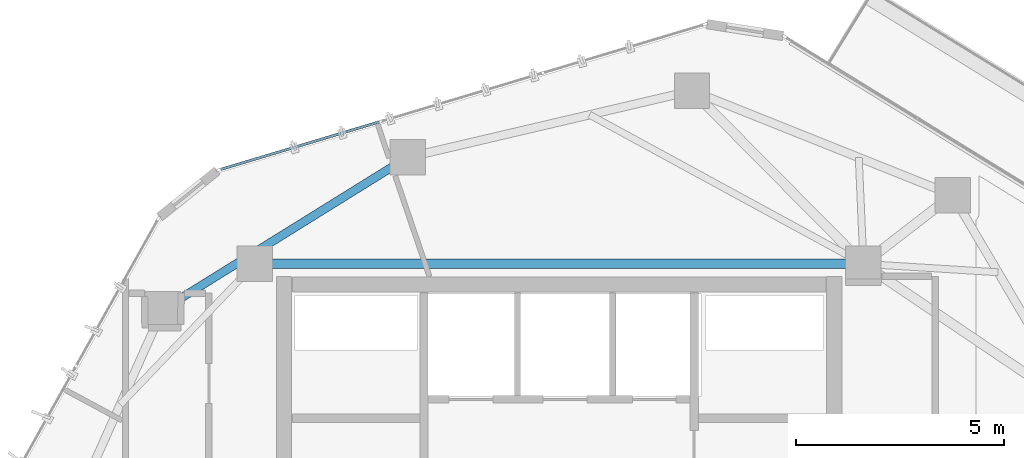
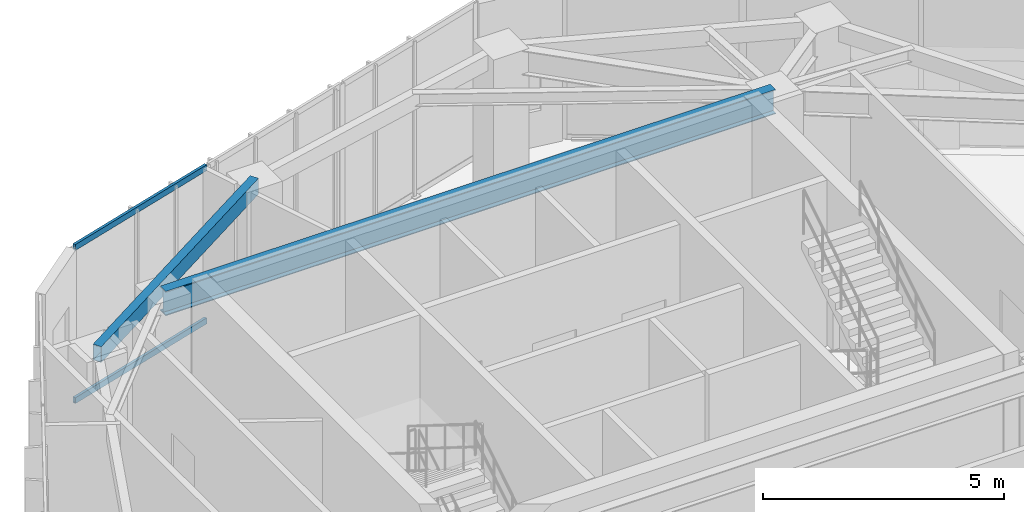
# One storey, part 9 of 20: 2 beams, 2 members, 1 element without a shape of its own.
"""IFC4 building model written with IfcOpenShell, lengths in metres."""

from ifc_helpers import new_model, si_unit, direction, frame, origin, origin_2d, place, context, subcontext, project, spatial, hollow_rectangle, i_section, extrude, source, transform, mapped, material, layer, layer_set, material_profile, profile_set, type_object, type_shapes, element, aggregate, save


model = new_model("IFC4")

# Units and contexts
model_context = context("Model", 3, precision=1e-05, world=origin(), true_north=direction((0.0, 1.0)))
body_context = subcontext(model_context, "Body", "Model", "MODEL_VIEW")
ifc_project = project(units=[si_unit("LENGTHUNIT", "METRE"), si_unit("AREAUNIT", "SQUARE_METRE"), si_unit("VOLUMEUNIT", "CUBIC_METRE"), si_unit("PLANEANGLEUNIT", "RADIAN"), si_unit("MASSUNIT", "GRAM", prefix="KILO")], contexts=[model_context])

# Site, building, storey
site_placement = place(None, origin())
site = spatial("IfcSite", under=ifc_project, at=site_placement, CompositionType="ELEMENT")
building_placement = place(site_placement, origin())
building = spatial("IfcBuilding", under=site, at=building_placement, Name="Talar Marvaseh", CompositionType="ELEMENT")
storey_placement = place(building_placement, frame((0.0, 0.0, 291.800048828125)))
storey = spatial("IfcBuildingStorey", under=building, at=storey_placement, Name="L78", CompositionType="ELEMENT", Elevation=291.800048828125)

# Beams
ifc_material_1 = material(Name="Steel S355", Category="steel")
ifc_material_profile_1 = material_profile(ifc_material_1, hollow_rectangle(XDim=0.199951171875, YDim=0.39990234375, WallThickness=0.013916015625, at=origin_2d()), Name="RHS400x200x14")
ifc_profile_set_1 = profile_set([ifc_material_profile_1], Name="Steel S355")
beam_type_1 = type_object("IfcBeamType", Name="Zone 3 Perimeter Spandrel Beam RHS400x200x14", PredefinedType="SPANDREL", material=ifc_profile_set_1)
beam_1_placement = place(storey_placement, frame((16.493896484375, 35.806884765625, 3.739990234375), z_axis=(0.849439811678, 0.527685518407, 0.0), x_axis=(-0.527685518407, 0.849439811678, 0.0)))
element("IfcBeam", 1, at=beam_1_placement, inside=storey, type_object=beam_type_1, Name="L78 Zone 3 Perimeter Spandrel Beam RHS400x200x14", PredefinedType="SPANDREL", context=body_context, shape_type="SweptSolid", body=[
    extrude(hollow_rectangle(XDim=0.199951171875, YDim=0.39990234375, WallThickness=0.013916015625, at=origin_2d()), origin(), (0.0, 0.0, 1.0), 6.91162109375),
])
ifc_material_profile_2 = material_profile(ifc_material_1, i_section(OverallWidth=0.22998046875, OverallDepth=0.616943359375, WebThickness=0.01318359375, FlangeThickness=0.022216796875, at=origin_2d()), Name="W610x140")
ifc_profile_set_2 = profile_set([ifc_material_profile_2], Name="Steel S355")
beam_type_2 = type_object("IfcBeamType", Name="Zone 4 Radial Floor Girder W610x140", PredefinedType="BEAM", material=ifc_profile_set_2)
beam_2_placement = place(storey_placement, frame((18.699951171875, 36.89990234375, 3.63134765625), z_axis=(1.0, 0.0, 0.0), x_axis=(0.0, 1.0, 0.0)))
element("IfcBeam", 2, at=beam_2_placement, inside=storey, type_object=beam_type_2, Name="L78 Zone 4 Radial Floor Girder W610x140", PredefinedType="BEAM", context=body_context, shape_type="SweptSolid", body=[
    extrude(i_section(OverallWidth=0.22998046875, OverallDepth=0.616943359375, WebThickness=0.01318359375, FlangeThickness=0.022216796875, at=origin_2d()), origin(), (0.0, 0.0, 1.0), 14.60009765625),
])

# Curtain wall, members
ifc_material_2 = material(Name="Architectural Aluminium", Category="aluminium")
ifc_layer = layer(ifc_material_2, 0.239990234375)
ifc_layer_set = layer_set([ifc_layer], Name="Architectural Aluminium")
curtain_wall_type = type_object("IfcCurtainWallType", Name="Observation Sky Gallery Structural Glass Wall", PredefinedType="NOTDEFINED", material=ifc_layer_set)
curtain_wall_placement = place(storey_placement, origin())
curtain_wall = element("IfcCurtainWall", 3, at=curtain_wall_placement, inside=storey, type_object=curtain_wall_type, Name="L78 Observation Sky Gallery Structural Glass Wall", PredefinedType="NOTDEFINED")
ifc_material_profile_3 = material_profile(ifc_material_2, hollow_rectangle(XDim=0.06494140625, YDim=0.14990234375, WallThickness=0.00390625, at=origin_2d()), Name="RHS150x65x4")
ifc_profile_set_3 = profile_set([ifc_material_profile_3], Name="Architectural Aluminium")
member_type = type_object("IfcMemberType", Name="Unitised Curtain Wall Slim Transom RHS150x65x4", PredefinedType="USERDEFINED", material=ifc_profile_set_3)
shared_shape = source(origin(), body_context, "Body", "SweptSolid", [
    extrude(hollow_rectangle(XDim=0.06494140625, YDim=0.14990234375, WallThickness=0.00390625, at=origin_2d()), origin(), (0.0, 0.0, 1.0), 3.97119140625),
])
type_shapes(member_type, [shared_shape])
member_1_placement = place(storey_placement, frame((17.884521484375, 39.166259765625, 0.032470703125), z_axis=(0.957920985341, 0.2870320293, 0.0), x_axis=(-0.2870320293, 0.957920985341, 0.0)))
member_1 = element("IfcMember", 4, at=member_1_placement, type_object=member_type, Name="CW-OBS transom 1.1", ObjectType="TRANSOM", PredefinedType="USERDEFINED", context=body_context, shape_type="MappedRepresentation", body=[
    mapped(shared_shape, transform((0.0, 0.0, 0.0), x_axis=(1.0, 0.0, 0.0), y_axis=(0.0, 1.0, 0.0), z_axis=(0.0, 0.0, 1.0), scale=1.0)),
])
member_2_placement = place(storey_placement, frame((17.884521484375, 39.166259765625, 3.907470703125), z_axis=(0.957920985341, 0.2870320293, 0.0), x_axis=(-0.2870320293, 0.957920985341, 0.0)))
member_2 = element("IfcMember", 5, at=member_2_placement, type_object=member_type, Name="CW-OBS transom 1.2", ObjectType="TRANSOM", PredefinedType="USERDEFINED", context=body_context, shape_type="MappedRepresentation", body=[
    mapped(shared_shape, transform((0.0, 0.0, 0.0), x_axis=(1.0, 0.0, 0.0), y_axis=(0.0, 1.0, 0.0), z_axis=(0.0, 0.0, 1.0), scale=1.0)),
])
aggregate(curtain_wall, [member_1, member_2])

save(model, "model.ifc")
